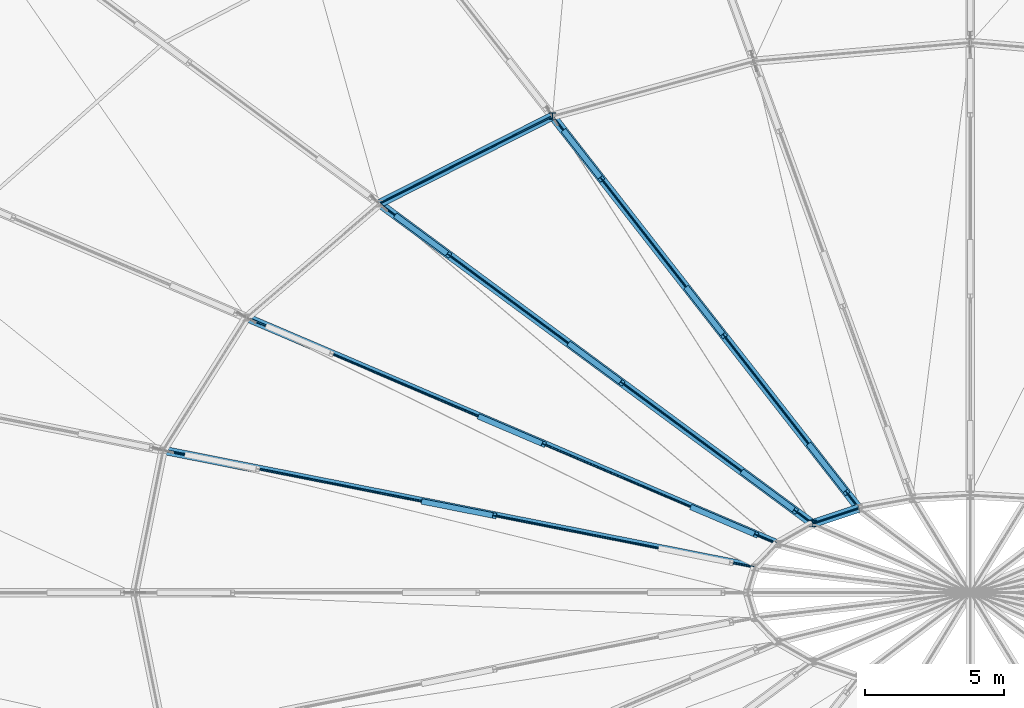
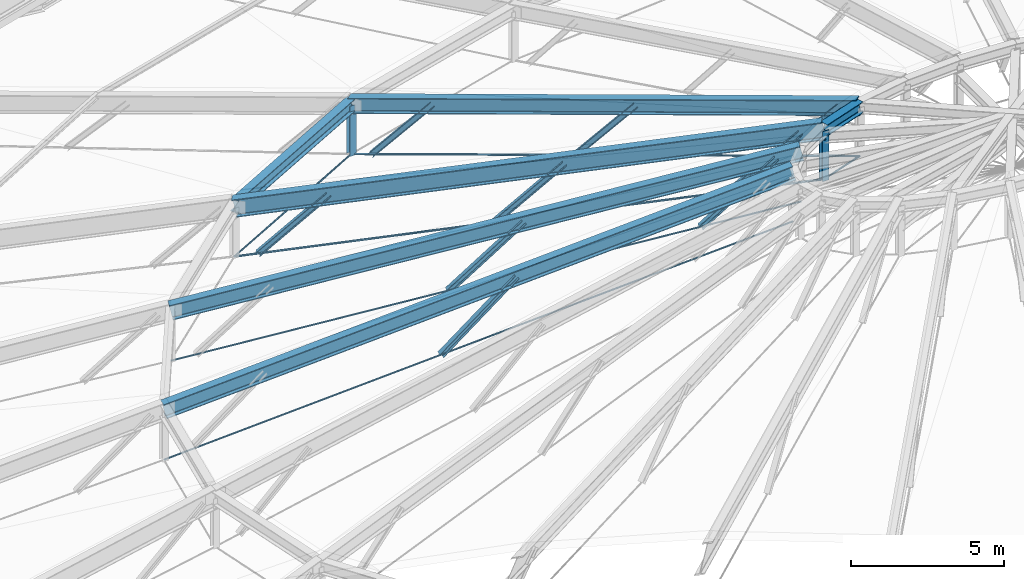
# One storey, part 17 of 83: 17 members, 6 beams.
"""IFC4 building model written with IfcOpenShell, lengths in metres."""

from ifc_helpers import new_model, si_unit, direction, frame, origin, origin_2d, place, context, subcontext, project, spatial, circle, i_section, extrude, material, material_profile, profile_set, type_object, element, save


model = new_model("IFC4")

# Units and contexts
model_context = context("Model", 3, precision=1e-05, world=origin(), true_north=direction((0.0, 1.0)))
body_context = subcontext(model_context, "Body", "Model", "MODEL_VIEW")
ifc_project = project(units=[si_unit("LENGTHUNIT", "METRE"), si_unit("AREAUNIT", "SQUARE_METRE"), si_unit("VOLUMEUNIT", "CUBIC_METRE"), si_unit("PLANEANGLEUNIT", "RADIAN"), si_unit("MASSUNIT", "GRAM", prefix="KILO")], contexts=[model_context])

# Site, building, storey
site_placement = place(None, origin())
site = spatial("IfcSite", under=ifc_project, at=site_placement, CompositionType="ELEMENT")
building_placement = place(site_placement, origin())
building = spatial("IfcBuilding", under=site, at=building_placement, Name="Kivolera Central Railway Station", CompositionType="ELEMENT")
storey_placement = place(building_placement, frame((0.0, 0.0, 14.39990234375)))
storey = spatial("IfcBuildingStorey", under=building, at=storey_placement, Name="L03", CompositionType="ELEMENT", Elevation=14.39990234375)

# Beams
ifc_material_1 = material(Name="Steel S355", Category="steel")
ifc_material_profile_1 = material_profile(ifc_material_1, i_section(OverallWidth=0.300048828125, OverallDepth=0.449951171875, WebThickness=0.013916015625, FlangeThickness=0.02587890625, FilletRadius=0.027099609375, at=origin_2d()), Name="HEB 450")
ifc_profile_set_1 = profile_set([ifc_material_profile_1], Name="Steel S355")
beam_type_1 = type_object("IfcBeamType", Name="BM-DCR-HEB450", PredefinedType="BEAM", material=ifc_profile_set_1)
beam_1_placement = place(storey_placement, frame((60.0, 93.031005859375, 10.380126953125), z_axis=(-0.948066876062, -0.318071058906, 0.0), x_axis=(0.318071058906, -0.948066876062, 0.0)))
element("IfcBeam", 1, at=beam_1_placement, inside=storey, type_object=beam_type_1, Name="Oval Dome Inner Crown Ring Beam DCR2-09", PredefinedType="BEAM", context=body_context, shape_type="SweptSolid", body=[
    extrude(i_section(OverallWidth=0.300048828125, OverallDepth=0.449951171875, WebThickness=0.013916015625, FlangeThickness=0.02587890625, FilletRadius=0.027099609375, at=origin_2d()), origin(), (0.0, 0.0, 1.0), 1.747802734375),
])
ifc_material_profile_2 = material_profile(ifc_material_1, i_section(OverallWidth=0.300048828125, OverallDepth=0.60009765625, WebThickness=0.015380859375, FlangeThickness=0.030029296875, FilletRadius=0.027099609375, at=origin_2d()), Name="HEB 600")
ifc_profile_set_2 = profile_set([ifc_material_profile_2], Name="Steel S355")
beam_type_2 = type_object("IfcBeamType", Name="BM-DRB-HEB600", PredefinedType="BEAM", material=ifc_profile_set_2)
beam_2_placement = place(storey_placement, frame((49.0, 107.10400390625, 5.780029296875), z_axis=(0.596374461748, -0.762979694126, 0.249398251249), x_axis=(0.787875774428, 0.61583420177, 0.0)))
element("IfcBeam", 2, at=beam_2_placement, inside=storey, type_object=beam_type_2, Name="Oval Dome Radial Arch Rib Mid Segment DRB2-09", PredefinedType="BEAM", context=body_context, shape_type="SweptSolid", body=[
    extrude(i_section(OverallWidth=0.300048828125, OverallDepth=0.60009765625, WebThickness=0.015380859375, FlangeThickness=0.030029296875, FilletRadius=0.027099609375, at=origin_2d()), origin(), (0.0, 0.0, 1.0), 18.44482421875),
])
beam_3_placement = place(storey_placement, frame((38.01904296875, 99.875, 5.780029296875), z_axis=(0.897973960833, -0.382934270659, 0.216804312733), x_axis=(0.392264242774, 0.919852577232, 0.0)))
element("IfcBeam", 3, at=beam_3_placement, inside=storey, type_object=beam_type_2, Name="Oval Dome Radial Arch Rib Mid Segment DRB2-11", PredefinedType="BEAM", context=body_context, shape_type="SweptSolid", body=[
    extrude(i_section(OverallWidth=0.300048828125, OverallDepth=0.60009765625, WebThickness=0.015380859375, FlangeThickness=0.030029296875, FilletRadius=0.027099609375, at=origin_2d()), origin(), (0.0, 0.0, 1.0), 21.2177734375),
])
beam_4_placement = place(storey_placement, frame((35.02197265625, 95.112060546875, 5.780029296875), z_axis=(0.959575067496, -0.189921870121, 0.207714643419), x_axis=(0.194156528124, 0.980970561529, 0.0)))
element("IfcBeam", 4, at=beam_4_placement, inside=storey, type_object=beam_type_2, Name="Oval Dome Radial Arch Rib Mid Segment DRB2-12", PredefinedType="BEAM", context=body_context, shape_type="SweptSolid", body=[
    extrude(i_section(OverallWidth=0.300048828125, OverallDepth=0.60009765625, WebThickness=0.015380859375, FlangeThickness=0.030029296875, FilletRadius=0.027099609375, at=origin_2d()), origin(), (0.0, 0.0, 1.0), 22.146240234375),
])
ifc_material_profile_3 = material_profile(ifc_material_1, i_section(OverallWidth=0.300048828125, OverallDepth=0.699951171875, WebThickness=0.01708984375, FlangeThickness=0.031982421875, FilletRadius=0.027099609375, at=origin_2d()), Name="HEB 700")
ifc_profile_set_3 = profile_set([ifc_material_profile_3], Name="Steel S355")
beam_type_3 = type_object("IfcBeamType", Name="BM-DRB-HEB700", PredefinedType="BEAM", material=ifc_profile_set_3)
beam_5_placement = place(storey_placement, frame((42.787109375, 103.965087890625, 5.780029296875), z_axis=(0.782537226919, -0.578001938423, 0.231407103749), x_axis=(0.594128361521, 0.804370244375, 0.0)))
element("IfcBeam", 5, at=beam_5_placement, inside=storey, type_object=beam_type_3, Name="Oval Dome Radial Arch Rib Mid Segment DRB2-10", PredefinedType="BEAM", context=body_context, shape_type="SweptSolid", body=[
    extrude(i_section(OverallWidth=0.300048828125, OverallDepth=0.699951171875, WebThickness=0.01708984375, FlangeThickness=0.031982421875, FilletRadius=0.027099609375, at=origin_2d()), origin(), (0.0, 0.0, 1.0), 19.87890625),
])
ifc_material_profile_4 = material_profile(ifc_material_1, i_section(OverallWidth=0.300048828125, OverallDepth=0.5, WebThickness=0.014404296875, FlangeThickness=0.028076171875, FilletRadius=0.027099609375, at=origin_2d()), Name="HEB 500")
ifc_profile_set_4 = profile_set([ifc_material_profile_4], Name="Steel S355")
beam_type_4 = type_object("IfcBeamType", Name="BM-HRG-HEB500", PredefinedType="BEAM", material=ifc_profile_set_4)
beam_6_placement = place(storey_placement, frame((49.0, 107.10400390625, 5.780029296875), z_axis=(-0.892553489172, -0.450941536085, 0.0), x_axis=(0.450941536085, -0.892553489172, 0.0)))
element("IfcBeam", 6, at=beam_6_placement, inside=storey, type_object=beam_type_4, Name="Oval Dome Outer Hoop Ring Beam HRG1-09", PredefinedType="BEAM", context=body_context, shape_type="SweptSolid", body=[
    extrude(i_section(OverallWidth=0.300048828125, OverallDepth=0.5, WebThickness=0.014404296875, FlangeThickness=0.028076171875, FilletRadius=0.027099609375, at=origin_2d()), origin(), (0.0, 0.0, 1.0), 6.960693359375),
])

# Members
ifc_material_2 = material(Name="Spiral strand steel S460", Category="steel")
ifc_material_profile_5 = material_profile(ifc_material_2, circle(Radius=0.02392578125, at=origin_2d()), Name="CABLE D48")
ifc_profile_set_5 = profile_set([ifc_material_profile_5], Name="Spiral strand steel S460")
member_type_1 = type_object("IfcMemberType", Name="MEM-CABLE-D48", PredefinedType="USERDEFINED", material=ifc_profile_set_5)
member_1_placement = place(storey_placement, frame((49.0, 107.10400390625, 3.780029296875), z_axis=(-0.892553489172, -0.450941536085, 0.0), x_axis=(0.450941536085, -0.892553489172, 0.0)))
element("IfcMember", 7, at=member_1_placement, inside=storey, type_object=member_type_1, Name="Dome Hoop Tension Cable HC1-09", ObjectType="TENSION_CABLE", PredefinedType="USERDEFINED", context=body_context, shape_type="SweptSolid", body=[
    extrude(circle(Radius=0.02392578125, at=origin_2d()), origin(), (0.0, 0.0, 1.0), 6.960693359375),
])
member_2_placement = place(storey_placement, frame((60.0, 93.031005859375, 8.380126953125), z_axis=(-0.948066876062, -0.318071058906, 0.0), x_axis=(0.318071058906, -0.948066876062, 0.0)))
element("IfcMember", 8, at=member_2_placement, inside=storey, type_object=member_type_1, Name="Dome Crown Hoop Tension Cable HC2-09", ObjectType="TENSION_CABLE", PredefinedType="USERDEFINED", context=body_context, shape_type="SweptSolid", body=[
    extrude(circle(Radius=0.02392578125, at=origin_2d()), origin(), (0.0, 0.0, 1.0), 1.747802734375),
])
ifc_material_profile_6 = material_profile(ifc_material_2, circle(Radius=0.031982421875, at=origin_2d()), Name="CABLE D64")
ifc_profile_set_6 = profile_set([ifc_material_profile_6], Name="Spiral strand steel S460")
member_type_2 = type_object("IfcMemberType", Name="MEM-CABLE-D64", PredefinedType="USERDEFINED", material=ifc_profile_set_6)
member_3_placement = place(storey_placement, frame((49.0, 107.10400390625, 3.780029296875), z_axis=(0.596374461748, -0.762979694126, 0.249398251249), x_axis=(0.787875774428, 0.61583420177, 0.0)))
element("IfcMember", 9, at=member_3_placement, inside=storey, type_object=member_type_2, Name="Dome Inner Radial Tension Cable RC2-09", ObjectType="TENSION_CABLE", PredefinedType="USERDEFINED", context=body_context, shape_type="SweptSolid", body=[
    extrude(circle(Radius=0.031982421875, at=origin_2d()), origin(), (0.0, 0.0, 1.0), 18.44482421875),
])
member_4_placement = place(storey_placement, frame((42.787109375, 103.965087890625, 3.780029296875), z_axis=(0.782537226919, -0.578001938423, 0.231407103749), x_axis=(0.594128361521, 0.804370244375, 0.0)))
element("IfcMember", 10, at=member_4_placement, inside=storey, type_object=member_type_2, Name="Dome Inner Radial Tension Cable RC2-10", ObjectType="TENSION_CABLE", PredefinedType="USERDEFINED", context=body_context, shape_type="SweptSolid", body=[
    extrude(circle(Radius=0.031982421875, at=origin_2d()), origin(), (0.0, 0.0, 1.0), 19.87890625),
])
member_5_placement = place(storey_placement, frame((38.01904296875, 99.875, 3.780029296875), z_axis=(0.897973960833, -0.382934270659, 0.216804312733), x_axis=(0.392264242774, 0.919852577232, 0.0)))
element("IfcMember", 11, at=member_5_placement, inside=storey, type_object=member_type_2, Name="Dome Inner Radial Tension Cable RC2-11", ObjectType="TENSION_CABLE", PredefinedType="USERDEFINED", context=body_context, shape_type="SweptSolid", body=[
    extrude(circle(Radius=0.031982421875, at=origin_2d()), origin(), (0.0, 0.0, 1.0), 21.2177734375),
])
member_6_placement = place(storey_placement, frame((35.02197265625, 95.112060546875, 3.780029296875), z_axis=(0.959575067496, -0.189921870121, 0.207714643419), x_axis=(0.194156528124, 0.980970561529, 0.0)))
element("IfcMember", 12, at=member_6_placement, inside=storey, type_object=member_type_2, Name="Dome Inner Radial Tension Cable RC2-12", ObjectType="TENSION_CABLE", PredefinedType="USERDEFINED", context=body_context, shape_type="SweptSolid", body=[
    extrude(circle(Radius=0.031982421875, at=origin_2d()), origin(), (0.0, 0.0, 1.0), 22.146240234375),
])
ifc_material_profile_7 = material_profile(ifc_material_1, i_section(OverallWidth=0.239990234375, OverallDepth=0.22998046875, WebThickness=0.007568359375, FlangeThickness=0.011962890625, FilletRadius=0.02099609375, at=origin_2d()), Name="HEA 240")
ifc_profile_set_7 = profile_set([ifc_material_profile_7], Name="Steel S355")
member_type_3 = type_object("IfcMemberType", Name="MEM-RAF-HEA240", PredefinedType="STRUT", material=ifc_profile_set_7)
for number, where, z_axis, x_axis, name in (
    (13, (49.0, 107.10400390625, 3.780029296875), (0.0, 0.0, 1.0), (1.0, 0.0, 0.0), "Dome Ring Spreader Post DP1-09"),
    (14, (58.343017578125, 92.47509765625, 8.380126953125), (0.0, 0.0, 1.0), (1.0, 0.0, 0.0), "Dome Crown Spreader Post DP2-10"),
):
    element("IfcMember", number, at=place(storey_placement, frame(where, z_axis=z_axis, x_axis=x_axis)), inside=storey, type_object=member_type_3, Name=name, PredefinedType="STRUT", context=body_context, shape_type="SweptSolid", body=[
        extrude(i_section(OverallWidth=0.239990234375, OverallDepth=0.22998046875, WebThickness=0.007568359375, FlangeThickness=0.011962890625, FilletRadius=0.02099609375, at=origin_2d()), origin(), (0.0, 0.0, 1.0), 2.0),
    ])
ifc_material_profile_8 = material_profile(ifc_material_1, i_section(OverallWidth=0.199951171875, OverallDepth=0.199951171875, WebThickness=0.009033203125, FlangeThickness=0.014892578125, FilletRadius=0.01806640625, at=origin_2d()), Name="HEB 200")
ifc_profile_set_8 = profile_set([ifc_material_profile_8], Name="Steel S355")
member_type_4 = type_object("IfcMemberType", Name="MEM-RAF-HEB200", PredefinedType="RAFTER", material=ifc_profile_set_8)
for number, where, z_axis, x_axis, name in (
    (15, (49.43994140625, 106.541015625, 3.964111328125), (0.396077804274, -0.506762761229, 0.765711353444), (0.787896583564, 0.615807578394, 0.0), "Dome Inner Truss Raking Web DWEB2-09.1"),
    (16, (53.840087890625, 100.912109375, 5.80419921875), (0.396001338606, -0.506831901927, 0.765705141038), (0.787995020105, 0.61568161276, 0.0), "Dome Inner Truss Raking Web DWEB2-09.2"),
    (17, (58.239990234375, 95.282958984375, 7.64404296875), (0.396077804274, -0.506762761229, 0.765711353444), (0.787896583564, 0.615807578394, 0.0), "Dome Inner Truss Raking Web DWEB2-09.3"),
):
    element("IfcMember", number, at=place(storey_placement, frame(where, z_axis=z_axis, x_axis=x_axis)), inside=storey, type_object=member_type_4, Name=name, PredefinedType="RAFTER", context=body_context, shape_type="SweptSolid", body=[
        extrude(i_section(OverallWidth=0.199951171875, OverallDepth=0.199951171875, WebThickness=0.009033203125, FlangeThickness=0.014892578125, FilletRadius=0.01806640625, at=origin_2d()), origin(), (0.0, 0.0, 1.0), 3.332763671875),
    ])
member_7_placement = place(storey_placement, frame((43.408935546875, 103.5048828125, 3.964111328125), z_axis=(0.541270764983, -0.39949420656, 0.739885354566), x_axis=(0.593837701674, 0.804584852002, 0.0)))
element("IfcMember", 18, at=member_7_placement, inside=storey, type_object=member_type_4, Name="Dome Inner Truss Raking Web DWEB2-10.1", PredefinedType="RAFTER", context=body_context, shape_type="SweptSolid", body=[
    extrude(i_section(OverallWidth=0.199951171875, OverallDepth=0.199951171875, WebThickness=0.009033203125, FlangeThickness=0.014892578125, FilletRadius=0.01806640625, at=origin_2d()), origin(), (0.0, 0.0, 1.0), 3.44921875),
])
member_8_placement = place(storey_placement, frame((49.632080078125, 98.908935546875, 5.80419921875), z_axis=(0.541070539817, -0.39955542676, 0.739998737761), x_axis=(0.594038836545, 0.804436362104, 0.0)))
element("IfcMember", 19, at=member_8_placement, inside=storey, type_object=member_type_4, Name="Dome Inner Truss Raking Web DWEB2-10.2", PredefinedType="RAFTER", context=body_context, shape_type="SweptSolid", body=[
    extrude(i_section(OverallWidth=0.199951171875, OverallDepth=0.199951171875, WebThickness=0.009033203125, FlangeThickness=0.014892578125, FilletRadius=0.01806640625, at=origin_2d()), origin(), (0.0, 0.0, 1.0), 3.44873046875),
])
member_9_placement = place(storey_placement, frame((55.85400390625, 94.31298828125, 7.64404296875), z_axis=(0.541270764983, -0.39949420656, 0.739885354566), x_axis=(0.593837701674, 0.804584852002, 0.0)))
element("IfcMember", 20, at=member_9_placement, inside=storey, type_object=member_type_4, Name="Dome Inner Truss Raking Web DWEB2-10.3", PredefinedType="RAFTER", context=body_context, shape_type="SweptSolid", body=[
    extrude(i_section(OverallWidth=0.199951171875, OverallDepth=0.199951171875, WebThickness=0.009033203125, FlangeThickness=0.014892578125, FilletRadius=0.01806640625, at=origin_2d()), origin(), (0.0, 0.0, 1.0), 3.44921875),
])
member_10_placement = place(storey_placement, frame((46.402099609375, 96.300048828125, 5.80419921875), z_axis=(0.641879650981, -0.273691398101, 0.716298493829), x_axis=(0.392223776266, 0.91986983282, 0.0)))
element("IfcMember", 21, at=member_10_placement, inside=storey, type_object=member_type_4, Name="Dome Inner Truss Raking Web DWEB2-11.2", PredefinedType="RAFTER", context=body_context, shape_type="SweptSolid", body=[
    extrude(i_section(OverallWidth=0.199951171875, OverallDepth=0.199951171875, WebThickness=0.009033203125, FlangeThickness=0.014892578125, FilletRadius=0.01806640625, at=origin_2d()), origin(), (0.0, 0.0, 1.0), 3.562744140625),
])
member_11_placement = place(storey_placement, frame((54.02392578125, 93.050048828125, 7.64404296875), z_axis=(0.641758749777, -0.273727514589, 0.716393017025), x_axis=(0.392330096129, 0.919824491776, 0.0)))
element("IfcMember", 22, at=member_11_placement, inside=storey, type_object=member_type_4, Name="Dome Inner Truss Raking Web DWEB2-11.3", PredefinedType="RAFTER", context=body_context, shape_type="SweptSolid", body=[
    extrude(i_section(OverallWidth=0.199951171875, OverallDepth=0.199951171875, WebThickness=0.009033203125, FlangeThickness=0.014892578125, FilletRadius=0.01806640625, at=origin_2d()), origin(), (0.0, 0.0, 1.0), 3.562255859375),
])
member_12_placement = place(storey_placement, frame((44.3720703125, 93.260986328125, 5.80419921875), z_axis=(0.700177074748, -0.138306582666, 0.700445110761), x_axis=(0.193786418213, 0.981043742203, 0.0)))
element("IfcMember", 23, at=member_12_placement, inside=storey, type_object=member_type_4, Name="Dome Inner Truss Raking Web DWEB2-12.2", PredefinedType="RAFTER", context=body_context, shape_type="SweptSolid", body=[
    extrude(i_section(OverallWidth=0.199951171875, OverallDepth=0.199951171875, WebThickness=0.009033203125, FlangeThickness=0.014892578125, FilletRadius=0.01806640625, at=origin_2d()), origin(), (0.0, 0.0, 1.0), 3.643310546875),
])

save(model, "model.ifc")
